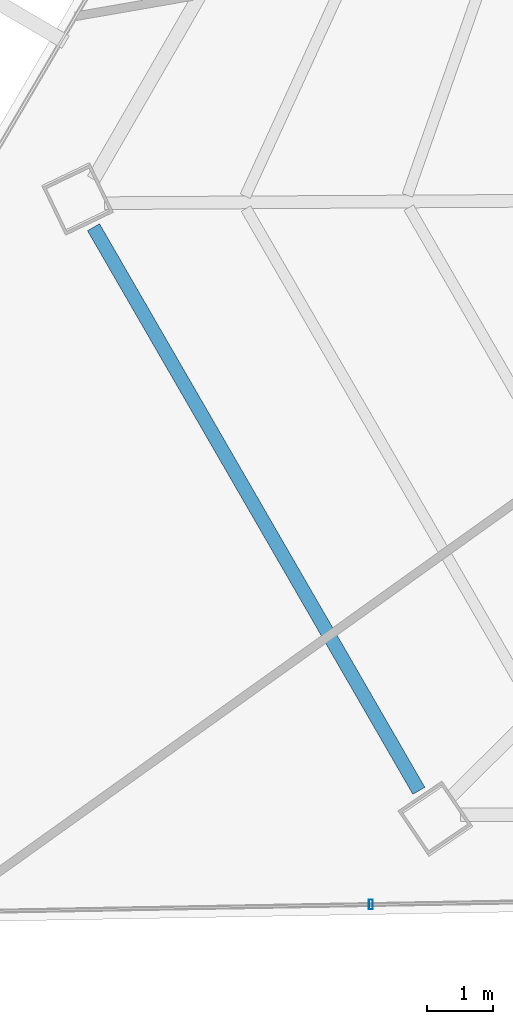
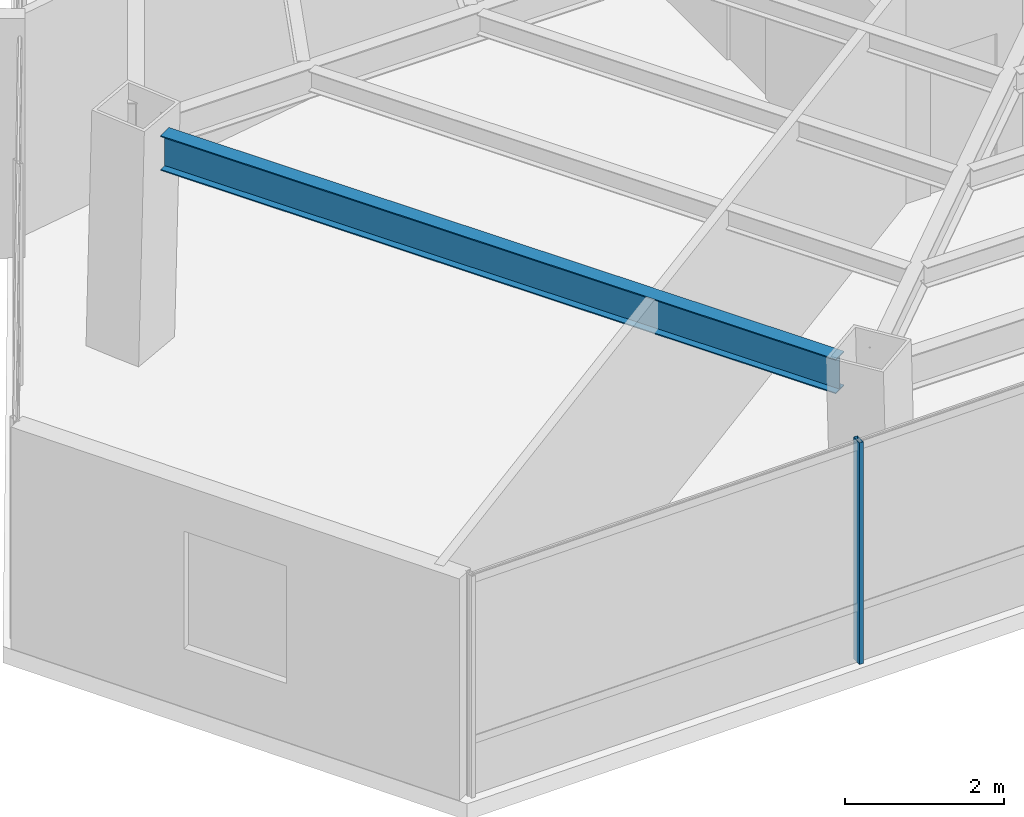
# One storey, part 4 of 42: 1 beam, 1 member, 1 element without a shape of its own.
"""IFC4 building model written with IfcOpenShell, lengths in metres."""

from ifc_helpers import new_model, si_unit, direction, frame, origin, origin_2d, place, context, subcontext, project, spatial, hollow_rectangle, i_section, extrude, source, transform, mapped, material, material_profile, profile_set, type_object, type_shapes, element, aggregate, save


model = new_model("IFC4")

# Units and contexts
model_context = context("Model", 3, precision=1e-05, world=origin(), true_north=direction((0.0, 1.0)))
body_context = subcontext(model_context, "Body", "Model", "MODEL_VIEW")
ifc_project = project(units=[si_unit("LENGTHUNIT", "METRE"), si_unit("AREAUNIT", "SQUARE_METRE"), si_unit("VOLUMEUNIT", "CUBIC_METRE"), si_unit("PLANEANGLEUNIT", "RADIAN"), si_unit("MASSUNIT", "GRAM", prefix="KILO")], contexts=[model_context])

# Site, building, storey
site_placement = place(None, origin())
site = spatial("IfcSite", under=ifc_project, at=site_placement, CompositionType="ELEMENT")
building_placement = place(site_placement, origin())
building = spatial("IfcBuilding", under=site, at=building_placement, Name="Caelisora Broadcast Tower", CompositionType="ELEMENT")
storey_placement = place(building_placement, frame((0.0, 0.0, 191.35009765625)))
storey = spatial("IfcBuildingStorey", under=building, at=storey_placement, Name="L50", CompositionType="ELEMENT", Elevation=191.35009765625)

# Beam
ifc_material_1 = material(Name="Steel Grade 350 (AS/NZS 3679.1)", Category="steel")
ifc_material_profile_1 = material_profile(ifc_material_1, i_section(OverallWidth=0.208984375, OverallDepth=0.532958984375, WebThickness=0.01025390625, FlangeThickness=0.015625, at=origin_2d()), Name="Steel Grade 350 (AS/NZS 3679.1)")
ifc_profile_set_1 = profile_set([ifc_material_profile_1], Name="Steel Grade 350 (AS/NZS 3679.1)")
beam_type = type_object("IfcBeamType", Name="PG05", PredefinedType="BEAM", material=ifc_profile_set_1)
shared_shape_1 = source(origin(), body_context, "Body", "SweptSolid", [
    extrude(i_section(OverallWidth=0.208984375, OverallDepth=0.532958984375, WebThickness=0.01025390625, FlangeThickness=0.015625, at=origin_2d()), origin(), (0.0, 0.0, 1.0), 9.793212890625),
])
type_shapes(beam_type, [shared_shape_1])
beam_placement = place(storey_placement, frame((16.00830078125, 16.957275390625, 3.13330078125), z_axis=(0.500008020972, -0.866020772825, 0.0), x_axis=(0.866020772825, 0.500008020972, 0.0)))
element("IfcBeam", 1, at=beam_placement, inside=storey, type_object=beam_type, Name="L50 beam PG05", PredefinedType="BEAM", context=body_context, shape_type="MappedRepresentation", body=[
    mapped(shared_shape_1, transform((0.0, 0.0, 0.0), scale=1.0)),
])

# Curtain wall, member
ifc_material_2 = material(Name="Unitised Aluminium and Low-E Glass Curtain Wall", Category="glass")
curtain_wall_type = type_object("IfcCurtainWallType", Name="CW-Z4", PredefinedType="NOTDEFINED", material=ifc_material_2)
curtain_wall_placement = place(storey_placement, origin())
curtain_wall = element("IfcCurtainWall", 2, at=curtain_wall_placement, inside=storey, type_object=curtain_wall_type, Name="L50 curtain wall CW-Z4", PredefinedType="NOTDEFINED")
ifc_material_3 = material(Name="Aluminium 6063-T6 Anodised Terracotta Bronze", Category="aluminium")
ifc_material_profile_2 = material_profile(ifc_material_3, hollow_rectangle(XDim=0.06005859375, YDim=0.14990234375, WallThickness=0.00341796875, at=origin_2d()), Name="Aluminium 6063-T6 Anodised Terracotta Bronze")
ifc_profile_set_2 = profile_set([ifc_material_profile_2], Name="Aluminium 6063-T6 Anodised Terracotta Bronze")
member_type = type_object("IfcMemberType", Name="CWM-03", PredefinedType="MULLION", material=ifc_profile_set_2)
shared_shape_2 = source(origin(), body_context, "Body", "SweptSolid", [
    extrude(hollow_rectangle(XDim=0.06005859375, YDim=0.14990234375, WallThickness=0.00341796875, at=origin_2d()), origin(), (0.0, 0.0, 1.0), 3.39990234375),
])
type_shapes(member_type, [shared_shape_2])
member_placement = place(storey_placement, frame((20.184326171875, 6.764404296875, 0.0), z_axis=(0.0, 0.0, 1.0), x_axis=(1.0, 0.0, 0.0)))
member = element("IfcMember", 3, at=member_placement, type_object=member_type, Name="L50-CW-B07 mullion #2", PredefinedType="MULLION", context=body_context, shape_type="MappedRepresentation", body=[
    mapped(shared_shape_2, transform((0.0, 0.0, 0.0), scale=1.0)),
])
aggregate(curtain_wall, [member])

save(model, "model.ifc")
